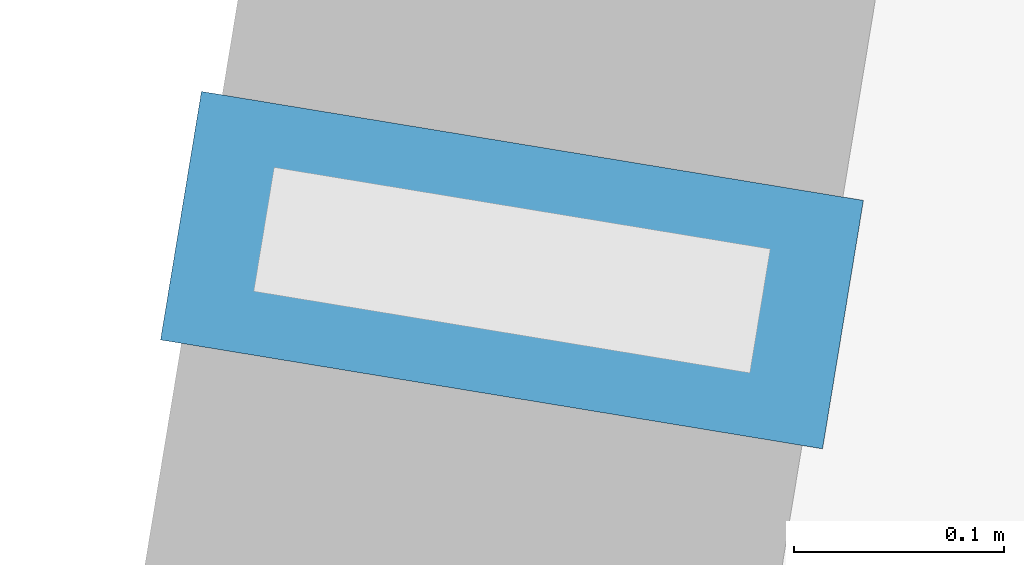
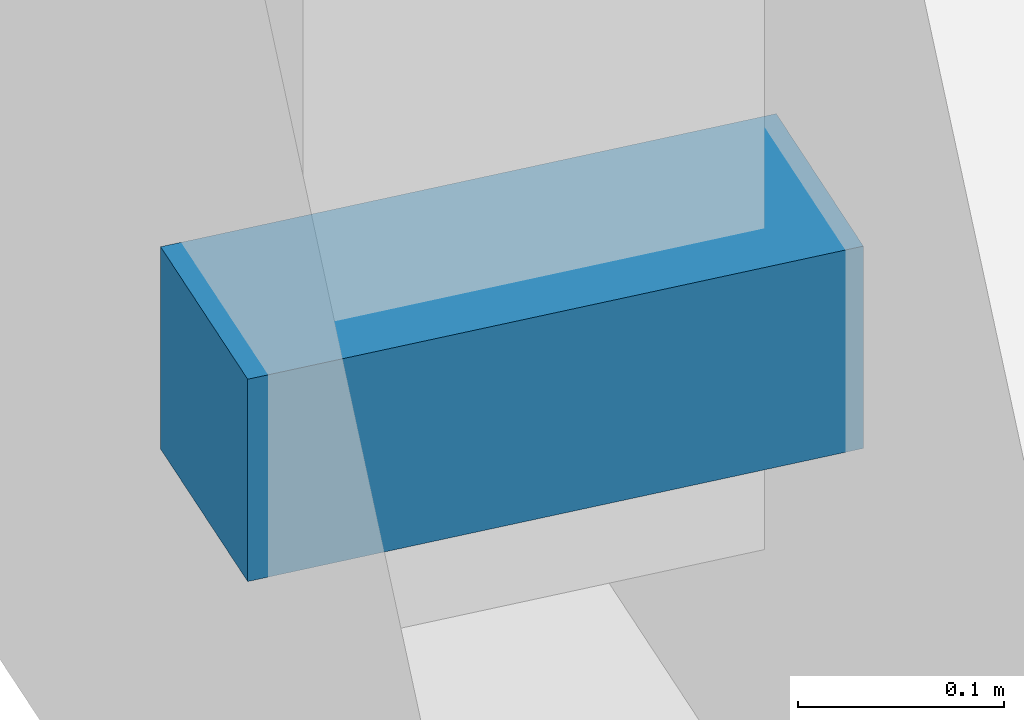
# One storey, part 10 of 18: 1 discrete accessory.
"""IFC4 building model written with IfcOpenShell, lengths in metres."""

from ifc_helpers import new_model, si_unit, direction, frame, origin, origin_2d, place, context, subcontext, project, spatial, rectangle, extrude, material, type_object, element, save


model = new_model("IFC4")

# Units and contexts
model_context = context("Model", 3, precision=1e-05, world=origin(), true_north=direction((0.0, 1.0)))
body_context = subcontext(model_context, "Body", "Model", "MODEL_VIEW")
ifc_project = project(units=[si_unit("LENGTHUNIT", "METRE"), si_unit("AREAUNIT", "SQUARE_METRE"), si_unit("VOLUMEUNIT", "CUBIC_METRE"), si_unit("PLANEANGLEUNIT", "RADIAN"), si_unit("MASSUNIT", "GRAM", prefix="KILO")], contexts=[model_context])

# Site, building, storey
site_placement = place(None, origin())
site = spatial("IfcSite", under=ifc_project, at=site_placement, CompositionType="ELEMENT")
building_placement = place(site_placement, origin())
building = spatial("IfcBuilding", under=site, at=building_placement, Name="Kolvaren Gate Tower and Convention Centre", CompositionType="ELEMENT")
storey_placement = place(building_placement, frame((0.0, 0.0, 229.39990234375)))
storey = spatial("IfcBuildingStorey", under=building, at=storey_placement, Name="L61", CompositionType="ELEMENT", Elevation=229.39990234375)

# Discrete accessory
ifc_material = material(Name="Anodized Architectural Aluminium Alloy 6063-T6", Category="aluminium")
discrete_accessory_type = type_object("IfcDiscreteAccessoryType", Name="ARCH-ACC-BRACKET-120", PredefinedType="BRACKET", material=ifc_material)
discrete_accessory_placement = place(storey_placement, frame((5.592041015625, 28.3193359375, 0.2900390625), z_axis=(0.0, 0.0, 1.0), x_axis=(0.162375401515, 0.986729055508, 0.0)))
element("IfcDiscreteAccessory", 1, at=discrete_accessory_placement, inside=storey, type_object=discrete_accessory_type, Name="Ceramic Fin Wall Anchor Bracket FBK-L61-11", PredefinedType="BRACKET", context=body_context, shape_type="SweptSolid", body=[
    extrude(rectangle(XDim=0.1201171875, YDim=0.320068359375, at=origin_2d()), origin(), (0.0, 0.0, 1.0), 0.1201171875),
])

save(model, "model.ifc")
